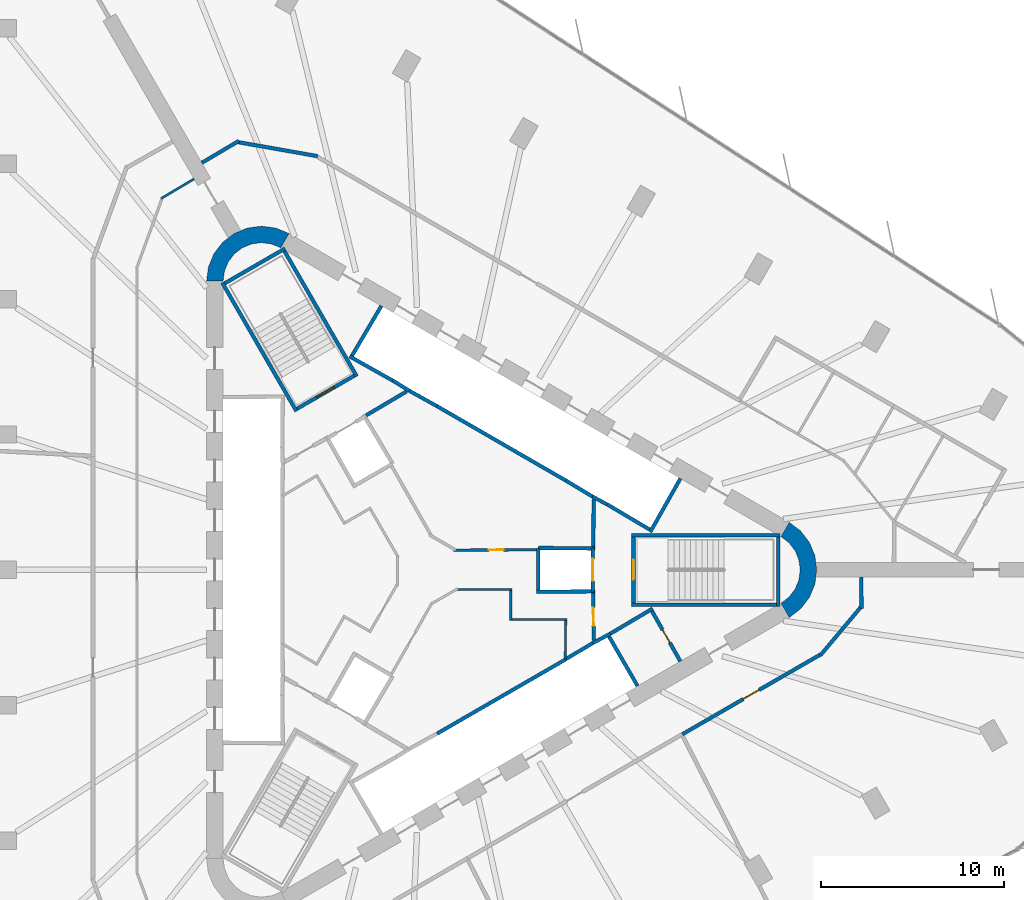
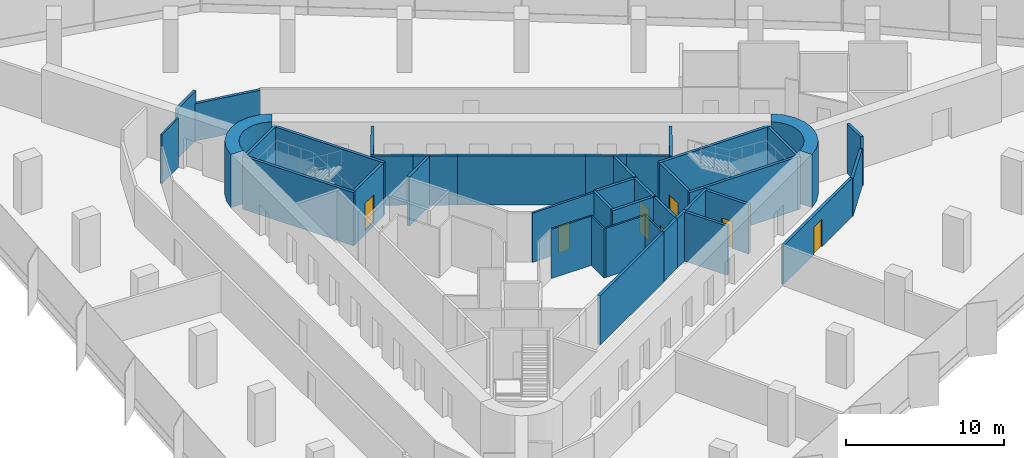
# One storey, part 11 of 14: 43 walls, 7 doors, 7 openings.
"""IFC4 building model written with IfcOpenShell, lengths in metres."""

from ifc_helpers import new_model, si_unit, direction, frame, frame_2d, origin, place, context, subcontext, project, spatial, polyline, rectangle, outline, extrude, material, layer, layer_set, type_object, element, fill, save


model = new_model("IFC4")

# Units and contexts
model_context = context("Model", 3, precision=1e-05, world=origin(), true_north=direction((0.0, 1.0)))
body_context = subcontext(model_context, "Body", "Model", "MODEL_VIEW")
ifc_project = project(units=[si_unit("LENGTHUNIT", "METRE"), si_unit("AREAUNIT", "SQUARE_METRE"), si_unit("VOLUMEUNIT", "CUBIC_METRE"), si_unit("PLANEANGLEUNIT", "RADIAN"), si_unit("MASSUNIT", "GRAM", prefix="KILO")], contexts=[model_context])

# Site, building, storey
site_placement = place(None, origin())
site = spatial("IfcSite", under=ifc_project, at=site_placement, CompositionType="ELEMENT")
building_placement = place(site_placement, origin())
building = spatial("IfcBuilding", under=site, at=building_placement, Name="Tanit Gate Tower", CompositionType="ELEMENT")
storey_placement = place(building_placement, frame((0.0, 0.0, 78.300048828125)))
storey = spatial("IfcBuildingStorey", under=building, at=storey_placement, Name="L15", CompositionType="ELEMENT", Elevation=78.300048828125)

# Walls
ifc_material_1 = material(Name="Concrete C60/75", Category="concrete")
ifc_layer_1 = layer(ifc_material_1, 0.89990234375)
ifc_layer_set_1 = layer_set([ifc_layer_1], Name="CORE WALL 900 C60/75")
wall_type_1 = type_object("IfcWallType", Name="CORE WALL 900 C60/75", PredefinedType="SHEAR", material=ifc_layer_set_1)
wall_1_placement = place(storey_placement, origin())
element("IfcWall", 1, at=wall_1_placement, inside=storey, type_object=wall_type_1, Name="CORE WALL CORNER", PredefinedType="SHEAR", context=body_context, shape_type="SweptSolid", body=[
    extrude(outline(polyline([(-7.60009765625, 18.359619140625), (-8.323486328125, 18.659423828125), (-9.10009765625, 18.76171875), (-9.87646484375, 18.659423828125), (-10.60009765625, 18.359619140625), (-11.22119140625, 17.883056640625), (-11.697998046875, 17.26171875), (-11.997802734375, 16.5380859375), (-12.10009765625, 15.76171875), (-11.199951171875, 15.76171875), (-11.12841796875, 16.30517578125), (-10.918701171875, 16.811767578125), (-10.5849609375, 17.24658203125), (-10.14990234375, 17.580322265625), (-9.6435546875, 17.7900390625), (-9.10009765625, 17.86181640625), (-8.556396484375, 17.7900390625), (-8.050048828125, 17.580322265625), (-7.60009765625, 18.359619140625)])), origin(), (0.0, 0.0, 1.0), 4.099853515625),
])
wall_2_placement = place(storey_placement, origin())
element("IfcWall", 2, at=wall_2_placement, inside=storey, type_object=wall_type_1, Name="CORE WALL CORNER", PredefinedType="SHEAR", context=body_context, shape_type="SweptSolid", body=[
    extrude(outline(polyline([(19.699951171875, -2.59814453125), (20.3212890625, -2.121337890625), (20.798095703125, -1.5), (21.097900390625, -0.776611328125), (21.199951171875, 0.0), (21.097900390625, 0.776611328125), (20.798095703125, 1.5), (20.3212890625, 2.121337890625), (19.699951171875, 2.59814453125), (19.25, 1.818603515625), (19.684814453125, 1.48486328125), (20.018798828125, 1.050048828125), (20.228515625, 0.54345703125), (20.300048828125, 0.0), (20.228515625, -0.54345703125), (20.018798828125, -1.050048828125), (19.684814453125, -1.48486328125), (19.25, -1.818603515625), (19.699951171875, -2.59814453125)])), origin(), (0.0, 0.0, 1.0), 4.099853515625),
])
ifc_material_2 = material(Name="Fire-rated gypsum board partition")
ifc_layer_2 = layer(ifc_material_2, 0.199951171875)
ifc_layer_set_2 = layer_set([ifc_layer_2], Name="INT-WALL-COMPARTMENT")
wall_type_2 = type_object("IfcWallType", Name="INT-WALL-COMPARTMENT", PredefinedType="PARTITIONING", material=ifc_layer_set_2)
wall_3_placement = place(storey_placement, frame((12.244873046875, -2.10888671875, 0.0), z_axis=(0.0, 0.0, 1.0), x_axis=(-0.860414880418, -0.509594185166, 0.0)))
element("IfcWall", 3, at=wall_3_placement, inside=storey, type_object=wall_type_2, Name="Wall Compartment W057", PredefinedType="PARTITIONING", context=body_context, shape_type="SweptSolid", body=[
    extrude(rectangle(XDim=2.7001953125, YDim=0.199951171875, at=frame_2d((1.35009765625, 0.0))), origin(), (0.0, 0.0, 1.0), 3.800048828125),
])

# Wall, opening, door
wall_4_placement = place(storey_placement, frame((13.758056640625, -4.989501953125, 0.0), z_axis=(0.0, 0.0, 1.0), x_axis=(-0.491993409184, 0.87059892334, 0.0)))
wall_4 = element("IfcWall", 4, at=wall_4_placement, inside=storey, type_object=wall_type_2, Name="Wall Compartment W058", PredefinedType="PARTITIONING", context=body_context, shape_type="SweptSolid", body=[
    extrude(rectangle(XDim=3.150146484375, YDim=0.199951171875, at=frame_2d((1.5751953125, 0.0))), origin(), (0.0, 0.0, 1.0), 3.800048828125),
])
opening_1_placement = place(wall_4_placement, frame((1.175048828125, 0.0, 0.0)))
opening_1 = element("IfcOpeningElement", 5, at=opening_1_placement, cuts=wall_4, Name="Opening R08-S02-13", PredefinedType="OPENING", context=body_context, shape_type="SweptSolid", body=[
    extrude(rectangle(XDim=0.800048828125, YDim=2.10009765625, at=frame_2d((0.39990234375, 1.050048828125))), frame((0.0, 0.10986328125, 0.0), z_axis=(0.0, -1.0, 0.0), x_axis=(1.0, 0.0, 0.0)), (0.0, 0.0, 1.0), 0.219970703125),
])
ifc_material_3 = material(Name="Timber door leaf", Category="wood")
door_type_1 = type_object("IfcDoorType", Name="INT-DOOR-RISER-800", OperationType="NOTDEFINED", PredefinedType="USERDEFINED", material=ifc_material_3)
door_1_placement = place(opening_1_placement, origin())
door_1 = element("IfcDoor", 6, at=door_1_placement, inside=storey, type_object=door_type_1, Name="Door R08-S02-13", ObjectType="FIRE DOOR", OperationType="SINGLE_SWING_RIGHT", OverallHeight=2.10009765625, OverallWidth=0.800048828125, PredefinedType="USERDEFINED", context=body_context, shape_type="SweptSolid", body=[
    extrude(rectangle(XDim=0.800048828125, YDim=2.10009765625, at=frame_2d((0.39990234375, 1.050048828125))), frame((0.0, 0.02490234375, 0.0), z_axis=(0.0, -1.0, 0.0), x_axis=(1.0, 0.0, 0.0)), (0.0, 0.0, 1.0), 0.050048828125),
])
fill(opening_1, door_1)

# Wall
wall_5_placement = place(storey_placement, frame((9.0009765625, 1.27001953125, 0.0), z_axis=(0.0, 0.0, 1.0), x_axis=(0.010784614026, 0.999941844359, 0.0)))
element("IfcWall", 7, at=wall_5_placement, inside=storey, type_object=wall_type_2, Name="Wall Compartment W059", PredefinedType="PARTITIONING", context=body_context, shape_type="SweptSolid", body=[
    extrude(rectangle(XDim=2.580810546875, YDim=0.199951171875, at=frame_2d((1.29052734375, 0.0))), origin(), (0.0, 0.0, 1.0), 3.800048828125),
])

# Wall, opening, door
wall_6_placement = place(storey_placement, frame((9.02880859375, -3.850830078125, 0.0), z_axis=(0.0, 0.0, 1.0), x_axis=(-0.010783593937, 0.99994185536, 0.0)))
wall_6 = element("IfcWall", 8, at=wall_6_placement, inside=storey, type_object=wall_type_2, Name="Wall Compartment W060", PredefinedType="PARTITIONING", context=body_context, shape_type="SweptSolid", body=[
    extrude(rectangle(XDim=2.5810546875, YDim=0.199951171875, at=frame_2d((1.29052734375, 0.0))), origin(), (0.0, 0.0, 1.0), 3.800048828125),
])
opening_2_placement = place(wall_6_placement, frame((0.79052734375, 0.0, 0.0)))
opening_2 = element("IfcOpeningElement", 9, at=opening_2_placement, cuts=wall_6, Name="Opening F10-S02-02", PredefinedType="OPENING", context=body_context, shape_type="SweptSolid", body=[
    extrude(rectangle(XDim=1.0, YDim=2.10009765625, at=frame_2d((0.5, 1.050048828125))), frame((0.0, 0.10986328125, 0.0), z_axis=(0.0, -1.0, 0.0), x_axis=(1.0, 0.0, 0.0)), (0.0, 0.0, 1.0), 0.219970703125),
])
ifc_material_4 = material(Name="Fire-rated steel door leaf", Category="steel")
door_type_2 = type_object("IfcDoorType", Name="INT-DOOR-FIRE-1000", OperationType="NOTDEFINED", PredefinedType="USERDEFINED", material=ifc_material_4)
door_2_placement = place(opening_2_placement, origin())
door_2 = element("IfcDoor", 10, at=door_2_placement, inside=storey, type_object=door_type_2, Name="Door F10-S02-02", ObjectType="FIRE DOOR", OperationType="SINGLE_SWING_RIGHT", OverallHeight=2.10009765625, OverallWidth=1.0, PredefinedType="USERDEFINED", context=body_context, shape_type="SweptSolid", body=[
    extrude(rectangle(XDim=1.0, YDim=2.10009765625, at=frame_2d((0.5, 1.050048828125))), frame((0.0, 0.02490234375, 0.0), z_axis=(0.0, -1.0, 0.0), x_axis=(1.0, 0.0, 0.0)), (0.0, 0.0, 1.0), 0.050048828125),
])
fill(opening_2, door_2)

# Walls
wall_7_placement = place(storey_placement, frame((-1.1796875, 9.744384765625, 0.0), z_axis=(0.0, 0.0, 1.0), x_axis=(-0.860615607571, -0.509255118781, 0.0)))
element("IfcWall", 11, at=wall_7_placement, inside=storey, type_object=wall_type_2, Name="Wall Compartment W061", PredefinedType="PARTITIONING", context=body_context, shape_type="SweptSolid", body=[
    extrude(rectangle(XDim=2.58056640625, YDim=0.199951171875, at=frame_2d((1.290283203125, 0.0))), origin(), (0.0, 0.0, 1.0), 3.800048828125),
])
wall_8_placement = place(storey_placement, frame((-10.3388671875, 23.4150390625, 0.0), z_axis=(0.0, 0.0, 1.0), x_axis=(-0.860316803263, -0.509759745393, 0.0)))
element("IfcWall", 12, at=wall_8_placement, inside=storey, type_object=wall_type_2, Name="Wall Compartment W094", PredefinedType="PARTITIONING", context=body_context, shape_type="SweptSolid", body=[
    extrude(rectangle(XDim=2.35400390625, YDim=0.199951171875, at=frame_2d((1.177001953125, 0.0))), origin(), (0.0, 0.0, 1.0), 3.800048828125),
])
wall_9_placement = place(storey_placement, frame((-6.042236328125, 22.58056640625, 0.0), z_axis=(0.0, 0.0, 1.0), x_axis=(-0.984805258509, 0.173662324106, 0.0)))
element("IfcWall", 13, at=wall_9_placement, inside=storey, type_object=wall_type_2, Name="Wall Compartment W095", PredefinedType="PARTITIONING", context=body_context, shape_type="SweptSolid", body=[
    extrude(rectangle(XDim=4.415771484375, YDim=0.199951171875, at=frame_2d((2.2080078125, 0.0))), origin(), (0.0, 0.0, 1.0), 2.8798828125),
])
wall_10_placement = place(storey_placement, frame((23.64794921875, -2.097900390625, 0.0), z_axis=(0.0, 0.0, 1.0), x_axis=(-0.015095332307, 0.99988605898, 0.0)))
element("IfcWall", 14, at=wall_10_placement, inside=storey, type_object=wall_type_2, Name="Wall Compartment W102", PredefinedType="PARTITIONING", context=body_context, shape_type="SweptSolid", body=[
    extrude(rectangle(XDim=1.6982421875, YDim=0.199951171875, at=frame_2d((0.84912109375, 0.0))), origin(), (0.0, 0.0, 1.0), 3.800048828125),
])
wall_11_placement = place(storey_placement, frame((21.4013671875, -4.657470703125, 0.0), z_axis=(0.0, 0.0, 1.0), x_axis=(0.642796210095, 0.766037226437, 0.0)))
element("IfcWall", 15, at=wall_11_placement, inside=storey, type_object=wall_type_2, Name="Wall Compartment W103", PredefinedType="PARTITIONING", context=body_context, shape_type="SweptSolid", body=[
    extrude(rectangle(XDim=3.44287109375, YDim=0.199951171875, at=frame_2d((1.721435546875, 0.0))), origin(), (0.0, 0.0, 1.0), 2.8798828125),
])

# Wall, opening, door
wall_12_placement = place(storey_placement, frame((13.862060546875, -8.970703125, 0.0), z_axis=(0.0, 0.0, 1.0), x_axis=(0.866032891431, 0.499987030792, 0.0)))
wall_12 = element("IfcWall", 16, at=wall_12_placement, inside=storey, type_object=wall_type_2, Name="Wall Compartment W104", PredefinedType="PARTITIONING", context=body_context, shape_type="SweptSolid", body=[
    extrude(rectangle(XDim=8.679931640625, YDim=0.199951171875, at=frame_2d((4.33984375, 0.0))), origin(), (0.0, 0.0, 1.0), 2.97998046875),
])
opening_3_placement = place(wall_12_placement, frame((3.83984375, 0.0, 0.0)))
opening_3 = element("IfcOpeningElement", 17, at=opening_3_placement, cuts=wall_12, Name="Opening F10-S02-22", PredefinedType="OPENING", context=body_context, shape_type="SweptSolid", body=[
    extrude(rectangle(XDim=1.0, YDim=2.10009765625, at=frame_2d((0.5, 1.050048828125))), frame((0.0, 0.10986328125, 0.0), z_axis=(0.0, -1.0, 0.0), x_axis=(1.0, 0.0, 0.0)), (0.0, 0.0, 1.0), 0.219970703125),
])
door_3_placement = place(opening_3_placement, origin())
door_3 = element("IfcDoor", 18, at=door_3_placement, inside=storey, type_object=door_type_2, Name="Door F10-S02-22", ObjectType="FIRE DOOR", OperationType="SINGLE_SWING_LEFT", OverallHeight=2.10009765625, OverallWidth=1.0, PredefinedType="USERDEFINED", context=body_context, shape_type="SweptSolid", body=[
    extrude(rectangle(XDim=1.0, YDim=2.10009765625, at=frame_2d((0.5, 1.050048828125))), frame((0.0, 0.02490234375, 0.0), z_axis=(0.0, -1.0, 0.0), x_axis=(1.0, 0.0, 0.0)), (0.0, 0.0, 1.0), 0.050048828125),
])
fill(opening_3, door_3)

# Walls
ifc_material_5 = material(Name="Gypsum board partition")
ifc_layer_3 = layer(ifc_material_5, 0.1201171875)
ifc_layer_set_3 = layer_set([ifc_layer_3], Name="INT-WALL-PARTITION")
wall_type_3 = type_object("IfcWallType", Name="INT-WALL-PARTITION", PredefinedType="PARTITIONING", material=ifc_layer_set_3)
wall_13_placement = place(storey_placement, frame((4.56005859375, -1.074951171875, 0.0), z_axis=(0.0, 0.0, 1.0), x_axis=(-1.0, 0.0, 0.0)))
element("IfcWall", 19, at=wall_13_placement, inside=storey, type_object=wall_type_3, Name="Wall Partition W070", PredefinedType="PARTITIONING", context=body_context, shape_type="SweptSolid", body=[
    extrude(rectangle(XDim=3.02587890625, YDim=0.1201171875, at=frame_2d((1.512939453125, 0.0))), origin(), (0.0, 0.0, 1.0), 3.800048828125),
])
wall_14_placement = place(storey_placement, frame((4.5, -2.760009765625, 0.0), z_axis=(0.0, 0.0, 1.0), x_axis=(0.0, 1.0, 0.0)))
element("IfcWall", 20, at=wall_14_placement, inside=storey, type_object=wall_type_3, Name="Wall Partition W071", PredefinedType="PARTITIONING", context=body_context, shape_type="SweptSolid", body=[
    extrude(rectangle(XDim=1.625, YDim=0.1201171875, at=frame_2d((0.8125, 0.0))), origin(), (0.0, 0.0, 1.0), 3.800048828125),
])
wall_15_placement = place(storey_placement, frame((7.56005859375, -2.699951171875, 0.0), z_axis=(0.0, 0.0, 1.0), x_axis=(-1.0, 0.0, 0.0)))
element("IfcWall", 21, at=wall_15_placement, inside=storey, type_object=wall_type_3, Name="Wall Partition W072", PredefinedType="PARTITIONING", context=body_context, shape_type="SweptSolid", body=[
    extrude(rectangle(XDim=3.0, YDim=0.1201171875, at=frame_2d((1.5, 0.0))), origin(), (0.0, 0.0, 1.0), 3.800048828125),
])
wall_16_placement = place(storey_placement, frame((7.474609375, -4.864501953125, 0.0), z_axis=(0.0, 0.0, 1.0), x_axis=(0.011716133148, 0.999931363757, 0.0)))
element("IfcWall", 22, at=wall_16_placement, inside=storey, type_object=wall_type_3, Name="Wall Partition W073", PredefinedType="PARTITIONING", context=body_context, shape_type="SweptSolid", body=[
    extrude(rectangle(XDim=2.104736328125, YDim=0.1201171875, at=frame_2d((1.05224609375, 0.0))), origin(), (0.0, 0.0, 1.0), 3.800048828125),
])
wall_17_placement = place(storey_placement, frame((-12.781982421875, 21.339111328125, 0.0), z_axis=(0.0, 0.0, 1.0), x_axis=(-0.859769901207, -0.510681619973, 0.0)))
element("IfcWall", 23, at=wall_17_placement, inside=storey, type_object=wall_type_3, Name="Wall Partition W083", PredefinedType="PARTITIONING", context=body_context, shape_type="SweptSolid", body=[
    extrude(rectangle(XDim=2.092529296875, YDim=0.1201171875, at=frame_2d((1.04638671875, 0.0))), origin(), (0.0, 0.0, 1.0), 3.800048828125),
])

# Wall, opening, door
ifc_material_6 = material(Name="Fire-rated gypsum board partition")
ifc_layer_4 = layer(ifc_material_6, 0.14990234375)
ifc_layer_set_4 = layer_set([ifc_layer_4], Name="INT-WALL-RISER")
wall_type_4 = type_object("IfcWallType", Name="INT-WALL-RISER", PredefinedType="PLUMBINGWALL", material=ifc_layer_set_4)
wall_18_placement = place(storey_placement, frame((1.3876953125, 1.07421875, 0.0), z_axis=(0.0, 0.0, 1.0), x_axis=(0.99997856967, 0.006546770205, 0.0)))
wall_18 = element("IfcWall", 24, at=wall_18_placement, inside=storey, type_object=wall_type_4, Name="Wall Riser W065", PredefinedType="PLUMBINGWALL", context=body_context, shape_type="SweptSolid", body=[
    extrude(rectangle(XDim=4.51220703125, YDim=0.14990234375, at=frame_2d((2.256103515625, 0.0))), origin(), (0.0, 0.0, 1.0), 3.800048828125),
])
opening_4_placement = place(wall_18_placement, frame((1.920166015625, 0.0, 0.0)))
opening_4 = element("IfcOpeningElement", 25, at=opening_4_placement, cuts=wall_18, Name="Opening R08-S02-10", PredefinedType="OPENING", context=body_context, shape_type="SweptSolid", body=[
    extrude(rectangle(XDim=0.800048828125, YDim=2.10009765625, at=frame_2d((0.39990234375, 1.050048828125))), frame((0.0, 0.0849609375, 0.0), z_axis=(0.0, -1.0, 0.0), x_axis=(1.0, 0.0, 0.0)), (0.0, 0.0, 1.0), 0.169921875),
])
door_4_placement = place(opening_4_placement, origin())
door_4 = element("IfcDoor", 26, at=door_4_placement, inside=storey, type_object=door_type_1, Name="Door R08-S02-10", ObjectType="FIRE DOOR", OperationType="SINGLE_SWING_RIGHT", OverallHeight=2.10009765625, OverallWidth=0.800048828125, PredefinedType="USERDEFINED", context=body_context, shape_type="SweptSolid", body=[
    extrude(rectangle(XDim=0.800048828125, YDim=2.10009765625, at=frame_2d((0.39990234375, 1.050048828125))), frame((0.0, 0.02490234375, 0.0), z_axis=(0.0, -1.0, 0.0), x_axis=(1.0, 0.0, 0.0)), (0.0, 0.0, 1.0), 0.050048828125),
])
fill(opening_4, door_4)

# Walls
ifc_material_7 = material(Name="Gypsum shaft wall system")
ifc_layer_5 = layer(ifc_material_7, 0.199951171875)
ifc_layer_set_5 = layer_set([ifc_layer_5], Name="INT-WALL-SHAFT")
wall_type_5 = type_object("IfcWallType", Name="INT-WALL-SHAFT", PredefinedType="PLUMBINGWALL", material=ifc_layer_set_5)
wall_19_placement = place(storey_placement, frame((7.497314453125, 4.885986328125, 0.0), z_axis=(0.0, 0.0, 1.0), x_axis=(-0.866030989016, 0.499990325971, 0.0)))
element("IfcWall", 27, at=wall_19_placement, inside=storey, type_object=wall_type_5, Name="Wall Shaft W003", PredefinedType="PLUMBINGWALL", context=body_context, shape_type="SweptSolid", body=[
    extrude(rectangle(XDim=8.099853515625, YDim=0.199951171875, at=frame_2d((4.0498046875, 0.0))), origin(), (0.0, 0.0, 1.0), 3.800048828125),
])
wall_20_placement = place(storey_placement, frame((12.10986328125, 2.07275390625, 0.0), z_axis=(0.0, 0.0, 1.0), x_axis=(0.49196600604, 0.870614408852, 0.0)))
element("IfcWall", 28, at=wall_20_placement, inside=storey, type_object=wall_type_5, Name="Wall Shaft W013", PredefinedType="PLUMBINGWALL", context=body_context, shape_type="SweptSolid", body=[
    extrude(rectangle(XDim=3.35009765625, YDim=0.199951171875, at=frame_2d((1.675048828125, 0.0))), origin(), (0.0, 0.0, 1.0), 3.800048828125),
])
wall_21_placement = place(storey_placement, frame((12.072998046875, 2.2109375, 0.0), z_axis=(0.0, 0.0, 1.0), x_axis=(-0.860438357912, 0.509554542943, 0.0)))
element("IfcWall", 29, at=wall_21_placement, inside=storey, type_object=wall_type_5, Name="Wall Shaft W014", PredefinedType="PLUMBINGWALL", context=body_context, shape_type="SweptSolid", body=[
    extrude(rectangle(XDim=2.700439453125, YDim=0.199951171875, at=frame_2d((1.35009765625, 0.0))), origin(), (0.0, 0.0, 1.0), 3.800048828125),
])
wall_22_placement = place(storey_placement, frame((9.74755859375, 3.583251953125, 0.0), z_axis=(0.0, 0.0, 1.0), x_axis=(-0.880917147855, 0.473270513147, 0.0)))
element("IfcWall", 30, at=wall_22_placement, inside=storey, type_object=wall_type_5, Name="Wall Shaft W015", PredefinedType="PLUMBINGWALL", context=body_context, shape_type="SweptSolid", body=[
    extrude(rectangle(XDim=0.8779296875, YDim=0.199951171875, at=frame_2d((0.43896484375, 0.0))), origin(), (0.0, 0.0, 1.0), 3.800048828125),
])
wall_23_placement = place(storey_placement, frame((9.0791015625, 3.93701171875, 0.0), z_axis=(0.0, 0.0, 1.0), x_axis=(-0.857516281273, 0.51445682749, 0.0)))
element("IfcWall", 31, at=wall_23_placement, inside=storey, type_object=wall_type_5, Name="Wall Shaft W016", PredefinedType="PLUMBINGWALL", context=body_context, shape_type="SweptSolid", body=[
    extrude(rectangle(XDim=1.8447265625, YDim=0.199951171875, at=frame_2d((0.92236328125, 0.0))), origin(), (0.0, 0.0, 1.0), 3.800048828125),
])
wall_24_placement = place(storey_placement, frame((-1.940673828125, 10.338623046875, 0.0), z_axis=(0.0, 0.0, 1.0), x_axis=(0.850216889117, -0.526432561171, 0.0)))
element("IfcWall", 32, at=wall_24_placement, inside=storey, type_object=wall_type_5, Name="Wall Shaft W019", PredefinedType="PLUMBINGWALL", context=body_context, shape_type="SweptSolid", body=[
    extrude(rectangle(XDim=1.078369140625, YDim=0.199951171875, at=frame_2d((0.5390625, 0.0))), origin(), (0.0, 0.0, 1.0), 3.800048828125),
])
wall_25_placement = place(storey_placement, frame((0.482666015625, 8.935791015625, 0.0), z_axis=(0.0, 0.0, 1.0), x_axis=(-0.874269620932, 0.485440655401, 0.0)))
element("IfcWall", 33, at=wall_25_placement, inside=storey, type_object=wall_type_5, Name="Wall Shaft W020", PredefinedType="PLUMBINGWALL", context=body_context, shape_type="SweptSolid", body=[
    extrude(rectangle(XDim=1.8447265625, YDim=0.199951171875, at=frame_2d((0.92236328125, 0.0))), origin(), (0.0, 0.0, 1.0), 3.800048828125),
])
wall_26_placement = place(storey_placement, frame((-4.296142578125, 11.658935546875, 0.0), z_axis=(0.0, 0.0, 1.0), x_axis=(0.871534483978, -0.490334215854, 0.0)))
element("IfcWall", 34, at=wall_26_placement, inside=storey, type_object=wall_type_5, Name="Wall Shaft W021", PredefinedType="PLUMBINGWALL", context=body_context, shape_type="SweptSolid", body=[
    extrude(rectangle(XDim=2.7001953125, YDim=0.199951171875, at=frame_2d((1.35009765625, 0.0))), origin(), (0.0, 0.0, 1.0), 3.800048828125),
])
wall_27_placement = place(storey_placement, frame((-4.158203125, 11.696044921875, 0.0), z_axis=(0.0, 0.0, 1.0), x_axis=(0.508018930956, 0.861345903683, 0.0)))
element("IfcWall", 35, at=wall_27_placement, inside=storey, type_object=wall_type_5, Name="Wall Shaft W022", PredefinedType="PLUMBINGWALL", context=body_context, shape_type="SweptSolid", body=[
    extrude(rectangle(XDim=3.150146484375, YDim=0.199951171875, at=frame_2d((1.5751953125, 0.0))), origin(), (0.0, 0.0, 1.0), 3.800048828125),
])
wall_28_placement = place(storey_placement, frame((0.482666015625, -8.935791015625, 0.0), z_axis=(0.0, 0.0, 1.0), x_axis=(0.866030989016, 0.499990325971, 0.0)))
element("IfcWall", 36, at=wall_28_placement, inside=storey, type_object=wall_type_5, Name="Wall Shaft W031", PredefinedType="PLUMBINGWALL", context=body_context, shape_type="SweptSolid", body=[
    extrude(rectangle(XDim=8.099853515625, YDim=0.199951171875, at=frame_2d((4.0498046875, 0.0))), origin(), (0.0, 0.0, 1.0), 3.800048828125),
])
wall_29_placement = place(storey_placement, frame((9.794677734375, -3.52490234375, 0.0), z_axis=(0.0, 0.0, 1.0), x_axis=(0.499984717929, -0.866034226713, 0.0)))
element("IfcWall", 37, at=wall_29_placement, inside=storey, type_object=wall_type_5, Name="Wall Shaft W024", PredefinedType="PLUMBINGWALL", context=body_context, shape_type="SweptSolid", body=[
    extrude(rectangle(XDim=3.25, YDim=0.199951171875, at=frame_2d((1.625, 0.0))), origin(), (0.0, 0.0, 1.0), 3.800048828125),
])
wall_30_placement = place(storey_placement, frame((8.97412109375, -3.998779296875, 0.0), z_axis=(0.0, 0.0, 1.0), x_axis=(0.880907015104, 0.473289373154, 0.0)))
element("IfcWall", 38, at=wall_30_placement, inside=storey, type_object=wall_type_5, Name="Wall Shaft W025", PredefinedType="PLUMBINGWALL", context=body_context, shape_type="SweptSolid", body=[
    extrude(rectangle(XDim=1.078125, YDim=0.199951171875, at=frame_2d((0.5390625, 0.0))), origin(), (0.0, 0.0, 1.0), 3.800048828125),
])
wall_31_placement = place(storey_placement, frame((7.4931640625, -4.87841796875, 0.0), z_axis=(0.0, 0.0, 1.0), x_axis=(0.859981807212, 0.510324691999, 0.0)))
element("IfcWall", 39, at=wall_31_placement, inside=storey, type_object=wall_type_5, Name="Wall Shaft W026", PredefinedType="PLUMBINGWALL", context=body_context, shape_type="SweptSolid", body=[
    extrude(rectangle(XDim=1.8447265625, YDim=0.199951171875, at=frame_2d((0.92236328125, 0.0))), origin(), (0.0, 0.0, 1.0), 3.800048828125),
])

# Wall, opening, door
wall_32_placement = place(storey_placement, frame((8.969970703125, 1.199951171875, 0.0), z_axis=(0.0, 0.0, 1.0), x_axis=(0.0, -1.0, 0.0)))
wall_32 = element("IfcWall", 40, at=wall_32_placement, inside=storey, type_object=wall_type_5, Name="Wall Shaft W037", PredefinedType="PLUMBINGWALL", context=body_context, shape_type="SweptSolid", body=[
    extrude(rectangle(XDim=2.39990234375, YDim=0.199951171875, at=frame_2d((1.199951171875, 0.0))), origin(), (0.0, 0.0, 1.0), 3.800048828125),
])
opening_5_placement = place(wall_32_placement, frame((0.60009765625, 0.0, 0.0)))
opening_5 = element("IfcOpeningElement", 41, at=opening_5_placement, cuts=wall_32, Name="Opening LDFL1-L15", PredefinedType="OPENING", context=body_context, shape_type="SweptSolid", body=[
    extrude(rectangle(XDim=1.199951171875, YDim=2.39990234375, at=frame_2d((0.60009765625, 1.199951171875))), frame((0.0, 0.10986328125, 0.0), z_axis=(0.0, -1.0, 0.0), x_axis=(1.0, 0.0, 0.0)), (0.0, 0.0, 1.0), 0.219970703125),
])
ifc_material_8 = material(Name="Stainless steel sliding door leaf", Category="steel")
door_type_3 = type_object("IfcDoorType", Name="INT-DOOR-LANDING-1200", OperationType="NOTDEFINED", PredefinedType="USERDEFINED", material=ifc_material_8)
door_5_placement = place(opening_5_placement, origin())
door_5 = element("IfcDoor", 42, at=door_5_placement, inside=storey, type_object=door_type_3, Name="Door LDFL1-L15", ObjectType="LANDING DOOR", OperationType="SLIDING_TO_LEFT", OverallHeight=2.39990234375, OverallWidth=1.199951171875, PredefinedType="USERDEFINED", context=body_context, shape_type="SweptSolid", body=[
    extrude(rectangle(XDim=1.199951171875, YDim=2.39990234375, at=frame_2d((0.60009765625, 1.199951171875))), frame((0.0, 0.02490234375, 0.0), z_axis=(0.0, -1.0, 0.0), x_axis=(1.0, 0.0, 0.0)), (0.0, 0.0, 1.0), 0.050048828125),
])
fill(opening_5, door_5)

# Walls
wall_33_placement = place(storey_placement, frame((6.0, 1.199951171875, 0.0), z_axis=(0.0, 0.0, 1.0), x_axis=(0.999949988, -0.010001074852, 0.0)))
element("IfcWall", 43, at=wall_33_placement, inside=storey, type_object=wall_type_5, Name="Wall Shaft W038", PredefinedType="PLUMBINGWALL", context=body_context, shape_type="SweptSolid", body=[
    extrude(rectangle(XDim=3.100341796875, YDim=0.199951171875, at=frame_2d((1.55029296875, 0.0))), origin(), (0.0, 0.0, 1.0), 3.800048828125),
])
wall_34_placement = place(storey_placement, frame((5.89990234375, -1.200927734375, 0.0), z_axis=(0.0, 0.0, 1.0), x_axis=(0.999950064753, 0.009993397809, 0.0)))
element("IfcWall", 44, at=wall_34_placement, inside=storey, type_object=wall_type_5, Name="Wall Shaft W039", PredefinedType="PLUMBINGWALL", context=body_context, shape_type="SweptSolid", body=[
    extrude(rectangle(XDim=3.200439453125, YDim=0.199951171875, at=frame_2d((1.60009765625, 0.0))), origin(), (0.0, 0.0, 1.0), 3.800048828125),
])
wall_35_placement = place(storey_placement, frame((6.0, -1.10009765625, 0.0), z_axis=(0.0, 0.0, 1.0), x_axis=(0.0, 1.0, 0.0)))
element("IfcWall", 45, at=wall_35_placement, inside=storey, type_object=wall_type_5, Name="Wall Shaft W040", PredefinedType="PLUMBINGWALL", context=body_context, shape_type="SweptSolid", body=[
    extrude(rectangle(XDim=2.279541015625, YDim=0.199951171875, at=frame_2d((1.1396484375, 0.0))), origin(), (0.0, 0.0, 1.0), 3.800048828125),
])
ifc_material_9 = material(Name="Concrete C40/50", Category="concrete")
ifc_layer_6 = layer(ifc_material_9, 0.199951171875)
ifc_layer_set_6 = layer_set([ifc_layer_6], Name="INT-WALL-STAIR")
wall_type_6 = type_object("IfcWallType", Name="INT-WALL-STAIR", PredefinedType="SHEAR", material=ifc_layer_set_6)
wall_36_placement = place(storey_placement, frame((19.199951171875, 1.89990234375, -0.300048828125), z_axis=(0.0, 0.0, 1.0), x_axis=(-1.0, 0.0, 0.0)))
element("IfcWall", 46, at=wall_36_placement, inside=storey, type_object=wall_type_6, Name="Wall Stair W033", PredefinedType="SHEAR", context=body_context, shape_type="SweptSolid", body=[
    extrude(rectangle(XDim=8.099853515625, YDim=0.199951171875, at=frame_2d((4.0498046875, 0.0))), origin(), (0.0, 0.0, 1.0), 4.10009765625),
])
wall_37_placement = place(storey_placement, frame((19.10009765625, -2.0, -0.300048828125), z_axis=(0.0, 0.0, 1.0), x_axis=(0.0, 1.0, 0.0)))
element("IfcWall", 47, at=wall_37_placement, inside=storey, type_object=wall_type_6, Name="Wall Stair W034", PredefinedType="SHEAR", context=body_context, shape_type="SweptSolid", body=[
    extrude(rectangle(XDim=3.800048828125, YDim=0.199951171875, at=frame_2d((1.89990234375, 0.0))), origin(), (0.0, 0.0, 1.0), 4.10009765625),
])
wall_38_placement = place(storey_placement, frame((11.10009765625, -1.89990234375, -0.300048828125), z_axis=(0.0, 0.0, 1.0), x_axis=(1.0, 0.0, 0.0)))
element("IfcWall", 48, at=wall_38_placement, inside=storey, type_object=wall_type_6, Name="Wall Stair W035", PredefinedType="SHEAR", context=body_context, shape_type="SweptSolid", body=[
    extrude(rectangle(XDim=7.89990234375, YDim=0.199951171875, at=frame_2d((3.949951171875, 0.0))), origin(), (0.0, 0.0, 1.0), 4.10009765625),
])

# Wall, opening, door
wall_39_placement = place(storey_placement, frame((11.199951171875, -1.800048828125, -0.300048828125), z_axis=(0.0, 0.0, 1.0), x_axis=(0.0, 1.0, 0.0)))
wall_39 = element("IfcWall", 49, at=wall_39_placement, inside=storey, type_object=wall_type_6, Name="Wall Stair W036", PredefinedType="SHEAR", context=body_context, shape_type="SweptSolid", body=[
    extrude(rectangle(XDim=3.60009765625, YDim=0.199951171875, at=frame_2d((1.800048828125, 0.0))), origin(), (0.0, 0.0, 1.0), 4.10009765625),
])
opening_6_placement = place(wall_39_placement, frame((1.25, 0.0, 0.300048828125)))
opening_6 = element("IfcOpeningElement", 50, at=opening_6_placement, cuts=wall_39, Name="Opening S11-S02-01", PredefinedType="OPENING", context=body_context, shape_type="SweptSolid", body=[
    extrude(rectangle(XDim=1.10009765625, YDim=2.10009765625, at=frame_2d((0.550048828125, 1.050048828125))), frame((0.0, 0.10986328125, 0.0), z_axis=(0.0, -1.0, 0.0), x_axis=(1.0, 0.0, 0.0)), (0.0, 0.0, 1.0), 0.219970703125),
])
ifc_material_10 = material(Name="Timber door leaf", Category="wood")
door_type_4 = type_object("IfcDoorType", Name="INT-DOOR-STAIR-1100", OperationType="NOTDEFINED", PredefinedType="USERDEFINED", material=ifc_material_10)
door_6_placement = place(opening_6_placement, origin())
door_6 = element("IfcDoor", 51, at=door_6_placement, inside=storey, type_object=door_type_4, Name="Door S11-S02-01", ObjectType="FIRE DOOR", OperationType="SINGLE_SWING_LEFT", OverallHeight=2.10009765625, OverallWidth=1.10009765625, PredefinedType="USERDEFINED", context=body_context, shape_type="SweptSolid", body=[
    extrude(rectangle(XDim=1.10009765625, YDim=2.10009765625, at=frame_2d((0.550048828125, 1.050048828125))), frame((0.0, 0.02490234375, 0.0), z_axis=(0.0, -1.0, 0.0), x_axis=(1.0, 0.0, 0.0)), (0.0, 0.0, 1.0), 0.050048828125),
])
fill(opening_6, door_6)

# Walls
wall_40_placement = place(storey_placement, frame((-11.245361328125, 15.677734375, -0.300048828125), z_axis=(0.0, 0.0, 1.0), x_axis=(0.499977274689, -0.866038523851, 0.0)))
element("IfcWall", 52, at=wall_40_placement, inside=storey, type_object=wall_type_6, Name="Wall Stair W041", PredefinedType="SHEAR", context=body_context, shape_type="SweptSolid", body=[
    extrude(rectangle(XDim=8.10009765625, YDim=0.199951171875, at=frame_2d((4.050048828125, 0.0))), origin(), (0.0, 0.0, 1.0), 4.10009765625),
])
wall_41_placement = place(storey_placement, frame((-7.81787109375, 17.541015625, -0.300048828125), z_axis=(0.0, 0.0, 1.0), x_axis=(-0.866044365799, -0.499967155389, 0.0)))
element("IfcWall", 53, at=wall_41_placement, inside=storey, type_object=wall_type_6, Name="Wall Stair W042", PredefinedType="SHEAR", context=body_context, shape_type="SweptSolid", body=[
    extrude(rectangle(XDim=3.800048828125, YDim=0.199951171875, at=frame_2d((1.89990234375, 0.0))), origin(), (0.0, 0.0, 1.0), 4.10009765625),
])
wall_42_placement = place(storey_placement, frame((-7.8544921875, 17.404541015625, -0.300048828125), z_axis=(0.0, 0.0, 1.0), x_axis=(0.499997992926, -0.866026562566, 0.0)))
element("IfcWall", 54, at=wall_42_placement, inside=storey, type_object=wall_type_6, Name="Wall Stair W043", PredefinedType="SHEAR", context=body_context, shape_type="SweptSolid", body=[
    extrude(rectangle(XDim=7.89990234375, YDim=0.199951171875, at=frame_2d((3.949951171875, 0.0))), origin(), (0.0, 0.0, 1.0), 4.10009765625),
])

# Wall, opening, door
wall_43_placement = place(storey_placement, frame((-7.158935546875, 8.799560546875, -0.300048828125), z_axis=(0.0, 0.0, 1.0), x_axis=(0.866047807691, 0.499961193289, 0.0)))
wall_43 = element("IfcWall", 55, at=wall_43_placement, inside=storey, type_object=wall_type_6, Name="Wall Stair W044", PredefinedType="SHEAR", context=body_context, shape_type="SweptSolid", body=[
    extrude(rectangle(XDim=3.599853515625, YDim=0.199951171875, at=frame_2d((1.7998046875, 0.0))), origin(), (0.0, 0.0, 1.0), 4.10009765625),
])
opening_7_placement = place(wall_43_placement, frame((1.25, 0.0, 0.300048828125)))
opening_7 = element("IfcOpeningElement", 56, at=opening_7_placement, cuts=wall_43, Name="Opening S11-S02-04", PredefinedType="OPENING", context=body_context, shape_type="SweptSolid", body=[
    extrude(rectangle(XDim=1.10009765625, YDim=2.10009765625, at=frame_2d((0.550048828125, 1.050048828125))), frame((0.0, 0.10986328125, 0.0), z_axis=(0.0, -1.0, 0.0), x_axis=(1.0, 0.0, 0.0)), (0.0, 0.0, 1.0), 0.219970703125),
])
door_7_placement = place(opening_7_placement, origin())
door_7 = element("IfcDoor", 57, at=door_7_placement, inside=storey, type_object=door_type_4, Name="Door S11-S02-04", ObjectType="FIRE DOOR", OperationType="SINGLE_SWING_RIGHT", OverallHeight=2.10009765625, OverallWidth=1.10009765625, PredefinedType="USERDEFINED", context=body_context, shape_type="SweptSolid", body=[
    extrude(rectangle(XDim=1.10009765625, YDim=2.10009765625, at=frame_2d((0.550048828125, 1.050048828125))), frame((0.0, 0.02490234375, 0.0), z_axis=(0.0, -1.0, 0.0), x_axis=(1.0, 0.0, 0.0)), (0.0, 0.0, 1.0), 0.050048828125),
])
fill(opening_7, door_7)

save(model, "model.ifc")
